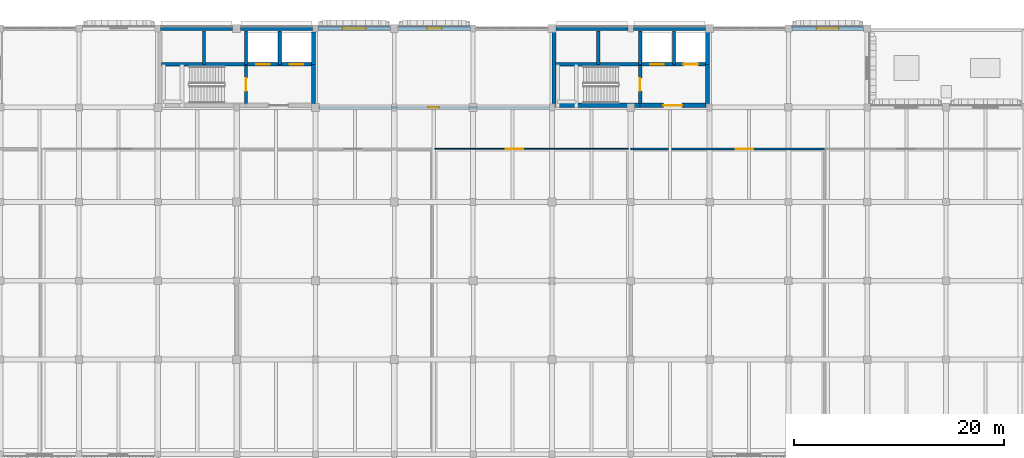
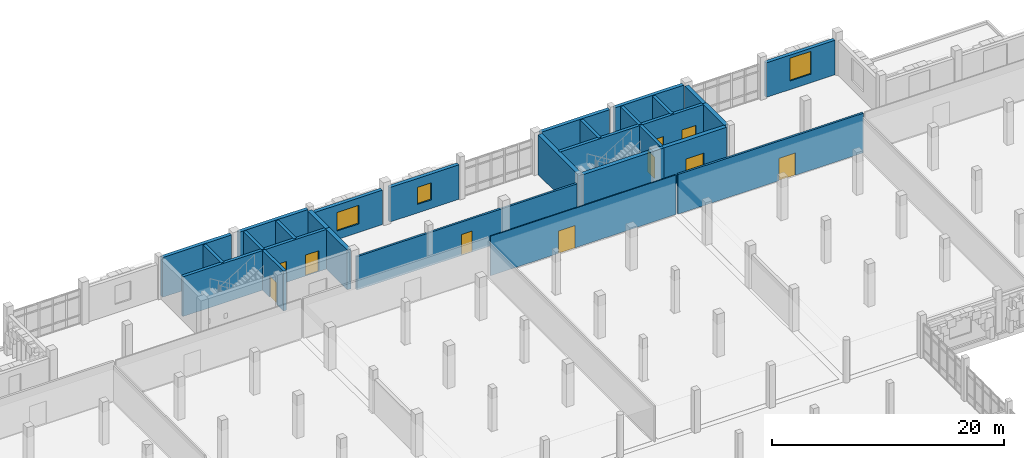
# One storey, part 102 of 128: 29 walls, 10 doors, 3 windows, 13 openings.
"""IFC4 building model written with IfcOpenShell, lengths in metres."""

from ifc_helpers import new_model, si_unit, direction, frame, frame_2d, origin, place, context, subcontext, project, spatial, rectangle, extrude, material, layer, layer_set, type_object, element, fill, save


model = new_model("IFC4")

# Units and contexts
model_context = context("Model", 3, precision=1e-05, world=origin(), true_north=direction((0.0, 1.0)))
body_context = subcontext(model_context, "Body", "Model", "MODEL_VIEW")
ifc_project = project(units=[si_unit("LENGTHUNIT", "METRE"), si_unit("AREAUNIT", "SQUARE_METRE"), si_unit("VOLUMEUNIT", "CUBIC_METRE"), si_unit("PLANEANGLEUNIT", "RADIAN"), si_unit("MASSUNIT", "GRAM", prefix="KILO")], contexts=[model_context])

# Site, building, storey
site_placement = place(None, origin())
site = spatial("IfcSite", under=ifc_project, at=site_placement, CompositionType="ELEMENT")
building_placement = place(site_placement, origin())
building = spatial("IfcBuilding", under=site, at=building_placement, Name="Dalvernix Boulevard General Hospital", CompositionType="ELEMENT")
storey_placement = place(building_placement, frame((0.0, 0.0, 4.800048828125)))
storey = spatial("IfcBuildingStorey", under=building, at=storey_placement, Name="L01", CompositionType="ELEMENT", Elevation=4.800048828125)

# Walls
ifc_material_1 = material(Name="Concrete C40/50", Category="concrete")
ifc_layer_1 = layer(ifc_material_1, 0.39990234375)
ifc_layer_set_1 = layer_set([ifc_layer_1], Name="Concrete C40/50 (WAL-CSW-01)")
wall_type_1 = type_object("IfcWallType", Name="WAL-CSW-01", PredefinedType="SHEAR", material=ifc_layer_set_1)
wall_1_placement = place(storey_placement, frame((74.800048828125, 109.85009765625, 0.0), z_axis=(0.0, 0.0, 1.0), x_axis=(0.0, 1.0, 0.0)))
element("IfcWall", 1, at=wall_1_placement, inside=storey, type_object=wall_type_1, Name="L01 C3 east lobby core wall", PredefinedType="SHEAR", context=body_context, shape_type="SweptSolid", body=[
    extrude(rectangle(XDim=3.75, YDim=0.39990234375, at=frame_2d((1.875, 0.0))), origin(), (0.0, 0.0, 1.0), 4.179931640625),
])
wall_2_placement = place(storey_placement, frame((74.800048828125, 113.60009765625, 0.0), z_axis=(0.0, 0.0, 1.0), x_axis=(0.0, 1.0, 0.0)))
element("IfcWall", 2, at=wall_2_placement, inside=storey, type_object=wall_type_1, Name="L01 C3 east shaft core wall", PredefinedType="SHEAR", context=body_context, shape_type="SweptSolid", body=[
    extrude(rectangle(XDim=3.0498046875, YDim=0.39990234375, at=frame_2d((1.52490234375, 0.0))), origin(), (0.0, 0.0, 1.0), 4.179931640625),
])
wall_3_placement = place(storey_placement, frame((97.85009765625, 109.699951171875, 0.0), z_axis=(0.0, 0.0, 1.0), x_axis=(1.0, 0.0, 0.0)))
element("IfcWall", 3, at=wall_3_placement, inside=storey, type_object=wall_type_1, Name="L01 C4 south stairwell wall", PredefinedType="SHEAR", context=body_context, shape_type="SweptSolid", body=[
    extrude(rectangle(XDim=8.0498046875, YDim=0.39990234375, at=frame_2d((4.02490234375, 0.0))), origin(), (0.0, 0.0, 1.0), 4.179931640625),
])

# Wall, opening, door
wall_4_placement = place(storey_placement, frame((105.89990234375, 109.699951171875, 0.0), z_axis=(0.0, 0.0, 1.0), x_axis=(1.0, 0.0, 0.0)))
wall_4 = element("IfcWall", 4, at=wall_4_placement, inside=storey, type_object=wall_type_1, Name="L01 C4 south firefighting lobby wall", PredefinedType="SHEAR", context=body_context, shape_type="SweptSolid", body=[
    extrude(rectangle(XDim=6.25, YDim=0.39990234375, at=frame_2d((3.125, 0.0))), origin(), (0.0, 0.0, 1.0), 4.179931640625),
])
opening_1_placement = place(wall_4_placement, frame((2.199951171875, 0.0, 0.0)))
opening_1 = element("IfcOpeningElement", 5, at=opening_1_placement, cuts=wall_4, Name="Opening FD-01", PredefinedType="OPENING", context=body_context, shape_type="SweptSolid", body=[
    extrude(rectangle(XDim=1.800048828125, YDim=2.25, at=frame_2d((0.89990234375, 1.125))), frame((0.0, 0.2099609375, 0.0), z_axis=(0.0, -1.0, 0.0), x_axis=(1.0, 0.0, 0.0)), (0.0, 0.0, 1.0), 0.419921875),
])
ifc_material_2 = material(Name="Hospital laminate acoustic timber and steel frame", Category="steel")
door_type_1 = type_object("IfcDoorType", Name="DR-FD-01", OperationType="DOUBLE_DOOR_SINGLE_SWING", PredefinedType="DOOR", material=ifc_material_2)
door_1_placement = place(opening_1_placement, origin())
door_1 = element("IfcDoor", 6, at=door_1_placement, inside=storey, type_object=door_type_1, Name="L01 C4 firefighting lobby door", OperationType="DOUBLE_DOOR_SINGLE_SWING", OverallHeight=2.25, OverallWidth=1.800048828125, PredefinedType="DOOR", context=body_context, shape_type="SweptSolid", body=[
    extrude(rectangle(XDim=1.800048828125, YDim=2.25, at=frame_2d((0.89990234375, 1.125))), frame((0.0, 0.02490234375, 0.0), z_axis=(0.0, -1.0, 0.0), x_axis=(1.0, 0.0, 0.0)), (0.0, 0.0, 1.0), 0.050048828125),
])
fill(opening_1, door_1)

# Walls
wall_5_placement = place(storey_placement, frame((97.699951171875, 109.85009765625, 0.0), z_axis=(0.0, 0.0, 1.0), x_axis=(0.0, 1.0, 0.0)))
element("IfcWall", 7, at=wall_5_placement, inside=storey, type_object=wall_type_1, Name="L01 C4 west core wall", PredefinedType="SHEAR", context=body_context, shape_type="SweptSolid", body=[
    extrude(rectangle(XDim=6.7998046875, YDim=0.39990234375, at=frame_2d((3.39990234375, 0.0))), origin(), (0.0, 0.0, 1.0), 4.179931640625),
])
wall_6_placement = place(storey_placement, frame((112.300048828125, 109.85009765625, 0.0), z_axis=(0.0, 0.0, 1.0), x_axis=(0.0, 1.0, 0.0)))
element("IfcWall", 8, at=wall_6_placement, inside=storey, type_object=wall_type_1, Name="L01 C4 east lobby core wall", PredefinedType="SHEAR", context=body_context, shape_type="SweptSolid", body=[
    extrude(rectangle(XDim=3.75, YDim=0.39990234375, at=frame_2d((1.875, 0.0))), origin(), (0.0, 0.0, 1.0), 4.179931640625),
])
wall_7_placement = place(storey_placement, frame((112.300048828125, 113.60009765625, 0.0), z_axis=(0.0, 0.0, 1.0), x_axis=(0.0, 1.0, 0.0)))
element("IfcWall", 9, at=wall_7_placement, inside=storey, type_object=wall_type_1, Name="L01 C4 east shaft core wall", PredefinedType="SHEAR", context=body_context, shape_type="SweptSolid", body=[
    extrude(rectangle(XDim=3.0498046875, YDim=0.39990234375, at=frame_2d((1.52490234375, 0.0))), origin(), (0.0, 0.0, 1.0), 4.179931640625),
])
ifc_layer_2 = layer(ifc_material_1, 0.300048828125)
ifc_layer_set_2 = layer_set([ifc_layer_2], Name="Concrete C40/50 (WAL-CSW-02)")
wall_type_2 = type_object("IfcWallType", Name="WAL-CSW-02", PredefinedType="SHEAR", material=ifc_layer_set_2)
wall_8_placement = place(storey_placement, frame((60.35009765625, 113.60009765625, 0.0), z_axis=(0.0, 0.0, 1.0), x_axis=(1.0, 0.0, 0.0)))
element("IfcWall", 10, at=wall_8_placement, inside=storey, type_object=wall_type_2, Name="L01 C3 riser spine wall", PredefinedType="SHEAR", context=body_context, shape_type="SweptSolid", body=[
    extrude(rectangle(XDim=8.0498046875, YDim=0.300048828125, at=frame_2d((4.02490234375, 0.0))), origin(), (0.0, 0.0, 1.0), 4.179931640625),
])

# Wall, openings, doors
wall_9_placement = place(storey_placement, frame((68.39990234375, 113.60009765625, 0.0), z_axis=(0.0, 0.0, 1.0), x_axis=(1.0, 0.0, 0.0)))
wall_9 = element("IfcWall", 11, at=wall_9_placement, inside=storey, type_object=wall_type_2, Name="L01 C3 lift shaft front wall", PredefinedType="SHEAR", context=body_context, shape_type="SweptSolid", body=[
    extrude(rectangle(XDim=6.25, YDim=0.300048828125, at=frame_2d((3.125, 0.0))), origin(), (0.0, 0.0, 1.0), 4.179931640625),
])
opening_2_placement = place(wall_9_placement, frame((0.949951171875, 0.0, 0.0)))
opening_2 = element("IfcOpeningElement", 12, at=opening_2_placement, cuts=wall_9, Name="Opening LD-LF-01-L01", PredefinedType="OPENING", context=body_context, shape_type="SweptSolid", body=[
    extrude(rectangle(XDim=1.300048828125, YDim=2.199951171875, at=frame_2d((0.64990234375, 1.10009765625))), frame((0.0, 0.159912109375, 0.0), z_axis=(0.0, -1.0, 0.0), x_axis=(1.0, 0.0, 0.0)), (0.0, 0.0, 1.0), 0.320068359375),
])
opening_3_placement = place(wall_9_placement, frame((4.14990234375, 0.0, 0.0)))
opening_3 = element("IfcOpeningElement", 13, at=opening_3_placement, cuts=wall_9, Name="Opening LD-LF-02-L01", PredefinedType="OPENING", context=body_context, shape_type="SweptSolid", body=[
    extrude(rectangle(XDim=1.300048828125, YDim=2.199951171875, at=frame_2d((0.64990234375, 1.10009765625))), frame((0.0, 0.159912109375, 0.0), z_axis=(0.0, -1.0, 0.0), x_axis=(1.0, 0.0, 0.0)), (0.0, 0.0, 1.0), 0.320068359375),
])
ifc_material_3 = material(Name="Stainless-clad steel", Category="steel")
door_type_2 = type_object("IfcDoorType", Name="DR-LD-02", OperationType="DOUBLE_DOOR_SLIDING", PredefinedType="DOOR", material=ifc_material_3)
door_2_placement = place(opening_2_placement, origin())
door_2 = element("IfcDoor", 14, at=door_2_placement, inside=storey, type_object=door_type_2, Name="L01 Lift LF-01 sliding landing door", OperationType="DOUBLE_DOOR_SLIDING", OverallHeight=2.199951171875, OverallWidth=1.300048828125, PredefinedType="DOOR", context=body_context, shape_type="SweptSolid", body=[
    extrude(rectangle(XDim=1.300048828125, YDim=2.199951171875, at=frame_2d((0.64990234375, 1.10009765625))), frame((0.0, 0.02490234375, 0.0), z_axis=(0.0, -1.0, 0.0), x_axis=(1.0, 0.0, 0.0)), (0.0, 0.0, 1.0), 0.050048828125),
])
fill(opening_2, door_2)
door_3_placement = place(opening_3_placement, origin())
door_3 = element("IfcDoor", 15, at=door_3_placement, inside=storey, type_object=door_type_2, Name="L01 Lift LF-02 sliding landing door", OperationType="DOUBLE_DOOR_SLIDING", OverallHeight=2.199951171875, OverallWidth=1.300048828125, PredefinedType="DOOR", context=body_context, shape_type="SweptSolid", body=[
    extrude(rectangle(XDim=1.300048828125, YDim=2.199951171875, at=frame_2d((0.64990234375, 1.10009765625))), frame((0.0, 0.02490234375, 0.0), z_axis=(0.0, -1.0, 0.0), x_axis=(1.0, 0.0, 0.0)), (0.0, 0.0, 1.0), 0.050048828125),
])
fill(opening_3, door_3)

# Wall, opening, door
wall_10_placement = place(storey_placement, frame((68.39990234375, 113.5, 0.0), z_axis=(0.0, 0.0, 1.0), x_axis=(0.0, -1.0, 0.0)))
wall_10 = element("IfcWall", 16, at=wall_10_placement, inside=storey, type_object=wall_type_2, Name="L01 C3 stairwell fire wall", PredefinedType="SHEAR", context=body_context, shape_type="SweptSolid", body=[
    extrude(rectangle(XDim=3.64990234375, YDim=0.300048828125, at=frame_2d((1.824951171875, 0.0))), origin(), (0.0, 0.0, 1.0), 4.179931640625),
])
opening_4_placement = place(wall_10_placement, frame((1.219970703125, 0.0, 0.0)))
opening_4 = element("IfcOpeningElement", 17, at=opening_4_placement, cuts=wall_10, Name="Opening FD-02", PredefinedType="OPENING", context=body_context, shape_type="SweptSolid", body=[
    extrude(rectangle(XDim=1.199951171875, YDim=2.25, at=frame_2d((0.60009765625, 1.125))), frame((0.0, 0.159912109375, 0.0), z_axis=(0.0, -1.0, 0.0), x_axis=(1.0, 0.0, 0.0)), (0.0, 0.0, 1.0), 0.320068359375),
])
door_type_3 = type_object("IfcDoorType", Name="DR-FD-02", OperationType="NOTDEFINED", PredefinedType="DOOR", material=ifc_material_2)
door_4_placement = place(opening_4_placement, origin())
door_4 = element("IfcDoor", 18, at=door_4_placement, inside=storey, type_object=door_type_3, Name="L01 Stair ST-03 fire door", OperationType="SINGLE_SWING_LEFT", OverallHeight=2.25, OverallWidth=1.199951171875, PredefinedType="DOOR", context=body_context, shape_type="SweptSolid", body=[
    extrude(rectangle(XDim=1.199951171875, YDim=2.25, at=frame_2d((0.60009765625, 1.125))), frame((0.0, 0.02490234375, 0.0), z_axis=(0.0, -1.0, 0.0), x_axis=(1.0, 0.0, 0.0)), (0.0, 0.0, 1.0), 0.050048828125),
])
fill(opening_4, door_4)

# Walls
for number, where, z_axis, x_axis, name in (
    (19, (64.39990234375, 113.60009765625, 0.0), (0.0, 0.0, 1.0), (0.0, 1.0, 0.0), "L01 C3 shaft divider R1"),
    (20, (68.39990234375, 113.60009765625, 0.0), (0.0, 0.0, 1.0), (0.0, 1.0, 0.0), "L01 C3 shaft divider R2"),
    (21, (71.60009765625, 113.60009765625, 0.0), (0.0, 0.0, 1.0), (0.0, 1.0, 0.0), "L01 C3 shaft divider L1"),
):
    element("IfcWall", number, at=place(storey_placement, frame(where, z_axis=z_axis, x_axis=x_axis)), inside=storey, type_object=wall_type_2, Name=name, PredefinedType="SHEAR", context=body_context, shape_type="SweptSolid", body=[
        extrude(rectangle(XDim=3.14990234375, YDim=0.300048828125, at=frame_2d((1.574951171875, 0.0))), origin(), (0.0, 0.0, 1.0), 4.179931640625),
    ])
wall_11_placement = place(storey_placement, frame((97.85009765625, 113.60009765625, 0.0), z_axis=(0.0, 0.0, 1.0), x_axis=(1.0, 0.0, 0.0)))
element("IfcWall", 22, at=wall_11_placement, inside=storey, type_object=wall_type_2, Name="L01 C4 riser spine wall", PredefinedType="SHEAR", context=body_context, shape_type="SweptSolid", body=[
    extrude(rectangle(XDim=8.0498046875, YDim=0.300048828125, at=frame_2d((4.02490234375, 0.0))), origin(), (0.0, 0.0, 1.0), 4.179931640625),
])

# Wall, openings, doors
wall_12_placement = place(storey_placement, frame((105.89990234375, 113.60009765625, 0.0), z_axis=(0.0, 0.0, 1.0), x_axis=(1.0, 0.0, 0.0)))
wall_12 = element("IfcWall", 23, at=wall_12_placement, inside=storey, type_object=wall_type_2, Name="L01 C4 lift shaft front wall", PredefinedType="SHEAR", context=body_context, shape_type="SweptSolid", body=[
    extrude(rectangle(XDim=6.25, YDim=0.300048828125, at=frame_2d((3.125, 0.0))), origin(), (0.0, 0.0, 1.0), 4.179931640625),
])
opening_5_placement = place(wall_12_placement, frame((0.949951171875, 0.0, 0.0)))
opening_5 = element("IfcOpeningElement", 24, at=opening_5_placement, cuts=wall_12, Name="Opening LD-LF-03-L01", PredefinedType="OPENING", context=body_context, shape_type="SweptSolid", body=[
    extrude(rectangle(XDim=1.300048828125, YDim=2.199951171875, at=frame_2d((0.64990234375, 1.10009765625))), frame((0.0, 0.159912109375, 0.0), z_axis=(0.0, -1.0, 0.0), x_axis=(1.0, 0.0, 0.0)), (0.0, 0.0, 1.0), 0.320068359375),
])
opening_6_placement = place(wall_12_placement, frame((4.10009765625, 0.0, 0.0)))
opening_6 = element("IfcOpeningElement", 25, at=opening_6_placement, cuts=wall_12, Name="Opening LD-GL-01-L01", PredefinedType="OPENING", context=body_context, shape_type="SweptSolid", body=[
    extrude(rectangle(XDim=1.39990234375, YDim=2.25, at=frame_2d((0.699951171875, 1.125))), frame((0.0, 0.159912109375, 0.0), z_axis=(0.0, -1.0, 0.0), x_axis=(1.0, 0.0, 0.0)), (0.0, 0.0, 1.0), 0.320068359375),
])
door_type_4 = type_object("IfcDoorType", Name="DR-LD-01", OperationType="DOUBLE_DOOR_SLIDING", PredefinedType="DOOR", material=ifc_material_3)
door_5_placement = place(opening_6_placement, origin())
door_5 = element("IfcDoor", 26, at=door_5_placement, inside=storey, type_object=door_type_4, Name="L01 Lift GL-01 sliding landing door", OperationType="DOUBLE_DOOR_SLIDING", OverallHeight=2.25, OverallWidth=1.39990234375, PredefinedType="DOOR", context=body_context, shape_type="SweptSolid", body=[
    extrude(rectangle(XDim=1.39990234375, YDim=2.25, at=frame_2d((0.699951171875, 1.125))), frame((0.0, 0.02490234375, 0.0), z_axis=(0.0, -1.0, 0.0), x_axis=(1.0, 0.0, 0.0)), (0.0, 0.0, 1.0), 0.050048828125),
])
fill(opening_6, door_5)
door_6_placement = place(opening_5_placement, origin())
door_6 = element("IfcDoor", 27, at=door_6_placement, inside=storey, type_object=door_type_2, Name="L01 Lift LF-03 sliding landing door", OperationType="DOUBLE_DOOR_SLIDING", OverallHeight=2.199951171875, OverallWidth=1.300048828125, PredefinedType="DOOR", context=body_context, shape_type="SweptSolid", body=[
    extrude(rectangle(XDim=1.300048828125, YDim=2.199951171875, at=frame_2d((0.64990234375, 1.10009765625))), frame((0.0, 0.02490234375, 0.0), z_axis=(0.0, -1.0, 0.0), x_axis=(1.0, 0.0, 0.0)), (0.0, 0.0, 1.0), 0.050048828125),
])
fill(opening_5, door_6)

# Wall, opening, door
wall_13_placement = place(storey_placement, frame((105.89990234375, 113.5, 0.0), z_axis=(0.0, 0.0, 1.0), x_axis=(0.0, -1.0, 0.0)))
wall_13 = element("IfcWall", 28, at=wall_13_placement, inside=storey, type_object=wall_type_2, Name="L01 C4 stairwell fire wall", PredefinedType="SHEAR", context=body_context, shape_type="SweptSolid", body=[
    extrude(rectangle(XDim=3.64990234375, YDim=0.300048828125, at=frame_2d((1.824951171875, 0.0))), origin(), (0.0, 0.0, 1.0), 4.179931640625),
])
opening_7_placement = place(wall_13_placement, frame((1.219970703125, 0.0, 0.0)))
opening_7 = element("IfcOpeningElement", 29, at=opening_7_placement, cuts=wall_13, Name="Opening FD-02", PredefinedType="OPENING", context=body_context, shape_type="SweptSolid", body=[
    extrude(rectangle(XDim=1.199951171875, YDim=2.25, at=frame_2d((0.60009765625, 1.125))), frame((0.0, 0.159912109375, 0.0), z_axis=(0.0, -1.0, 0.0), x_axis=(1.0, 0.0, 0.0)), (0.0, 0.0, 1.0), 0.320068359375),
])
door_7_placement = place(opening_7_placement, origin())
door_7 = element("IfcDoor", 30, at=door_7_placement, inside=storey, type_object=door_type_3, Name="L01 Stair ST-04 fire door", OperationType="SINGLE_SWING_LEFT", OverallHeight=2.25, OverallWidth=1.199951171875, PredefinedType="DOOR", context=body_context, shape_type="SweptSolid", body=[
    extrude(rectangle(XDim=1.199951171875, YDim=2.25, at=frame_2d((0.60009765625, 1.125))), frame((0.0, 0.02490234375, 0.0), z_axis=(0.0, -1.0, 0.0), x_axis=(1.0, 0.0, 0.0)), (0.0, 0.0, 1.0), 0.050048828125),
])
fill(opening_7, door_7)

# Walls
for number, where, z_axis, x_axis, name in (
    (31, (101.89990234375, 113.60009765625, 0.0), (0.0, 0.0, 1.0), (0.0, 1.0, 0.0), "L01 C4 shaft divider R1"),
    (32, (105.89990234375, 113.60009765625, 0.0), (0.0, 0.0, 1.0), (0.0, 1.0, 0.0), "L01 C4 shaft divider R2"),
    (33, (109.10009765625, 113.60009765625, 0.0), (0.0, 0.0, 1.0), (0.0, 1.0, 0.0), "L01 C4 shaft divider L1"),
):
    element("IfcWall", number, at=place(storey_placement, frame(where, z_axis=z_axis, x_axis=x_axis)), inside=storey, type_object=wall_type_2, Name=name, PredefinedType="SHEAR", context=body_context, shape_type="SweptSolid", body=[
        extrude(rectangle(XDim=3.14990234375, YDim=0.300048828125, at=frame_2d((1.574951171875, 0.0))), origin(), (0.0, 0.0, 1.0), 4.179931640625),
    ])
ifc_layer_3 = layer(ifc_material_1, 0.35009765625)
ifc_layer_set_3 = layer_set([ifc_layer_3], Name="Concrete C40/50 (WAL-ESW-01)")
wall_type_3 = type_object("IfcWallType", Name="WAL-ESW-01", PredefinedType="SHEAR", material=ifc_layer_set_3)
for number, where, z_axis, x_axis, name in (
    (34, (60.260009765625, 117.0, 0.0), (0.0, 0.0, 1.0), (1.0, 0.0, 0.0), "L01 core perimeter shear wall N 8-15"),
    (35, (67.885009765625, 117.0, 0.0), (0.0, 0.0, 1.0), (1.0, 0.0, 0.0), "L01 core perimeter shear wall N 9-15"),
    (36, (97.885009765625, 117.0, 0.0), (0.0, 0.0, 1.0), (1.0, 0.0, 0.0), "L01 core perimeter shear wall N 13-15"),
    (37, (105.260009765625, 117.0, 0.0), (0.0, 0.0, 1.0), (1.0, 0.0, 0.0), "L01 core perimeter shear wall N 14-15"),
):
    element("IfcWall", number, at=place(storey_placement, frame(where, z_axis=z_axis, x_axis=x_axis)), inside=storey, type_object=wall_type_3, Name=name, PredefinedType="SHEAR", context=body_context, shape_type="SweptSolid", body=[
        extrude(rectangle(XDim=6.85498046875, YDim=0.35009765625, at=frame_2d((3.427490234375, 0.0))), origin(), (0.0, 0.0, 1.0), 4.179931640625),
    ])

# Wall, opening, window
ifc_material_4 = material(Name="Pressed Catalan clay brick and insulated concrete cavity wall C35/45", Category="masonry")
ifc_layer_4 = layer(ifc_material_4, 0.35009765625)
ifc_layer_set_4 = layer_set([ifc_layer_4], Name="Pressed Catalan clay brick and insulated concrete cavity wall C35/45 (WAL-EW-01)")
wall_type_4 = type_object("IfcWallType", Name="WAL-EW-01", PredefinedType="STANDARD", material=ifc_layer_set_4)
wall_14_placement = place(storey_placement, frame((75.260009765625, 117.0, 0.0), z_axis=(0.0, 0.0, 1.0), x_axis=(1.0, 0.0, 0.0)))
wall_14 = element("IfcWall", 38, at=wall_14_placement, inside=storey, type_object=wall_type_4, Name="L01 Catalan brick external wall N 10-15", PredefinedType="STANDARD", context=body_context, shape_type="SweptSolid", body=[
    extrude(rectangle(XDim=6.85498046875, YDim=0.35009765625, at=frame_2d((3.427490234375, 0.0))), origin(), (0.0, 0.0, 1.0), 3.6298828125),
])
opening_8_placement = place(wall_14_placement, frame((2.327392578125, 0.0, 0.89990234375)))
opening_8 = element("IfcOpeningElement", 39, at=opening_8_placement, cuts=wall_14, Name="Opening WN-13", PredefinedType="OPENING", context=body_context, shape_type="SweptSolid", body=[
    extrude(rectangle(XDim=2.199951171875, YDim=1.949951171875, at=frame_2d((1.10009765625, 0.97509765625))), frame((0.0, 0.18505859375, 0.0), z_axis=(0.0, -1.0, 0.0), x_axis=(1.0, 0.0, 0.0)), (0.0, 0.0, 1.0), 0.3701171875),
])
ifc_material_5 = material(Name="Thermally broken aluminium frame with solar-control double glazing", Category="aluminium")
window_type_1 = type_object("IfcWindowType", Name="WIN-WN-13", PartitioningType="SINGLE_PANEL", PredefinedType="WINDOW", material=ifc_material_5)
window_1_placement = place(opening_8_placement, origin())
window_1 = element("IfcWindow", 40, at=window_1_placement, inside=storey, type_object=window_type_1, Name="L01 clinical window WN-13 N 10-15", OverallHeight=1.949951171875, OverallWidth=2.199951171875, PartitioningType="SINGLE_PANEL", PredefinedType="WINDOW", context=body_context, shape_type="SweptSolid", body=[
    extrude(rectangle(XDim=2.199951171875, YDim=1.949951171875, at=frame_2d((1.10009765625, 0.97509765625))), frame((0.0, 0.030029296875, 0.0), z_axis=(0.0, -1.0, 0.0), x_axis=(1.0, 0.0, 0.0)), (0.0, 0.0, 1.0), 0.06005859375),
])
fill(opening_8, window_1)

wall_15_placement = place(storey_placement, frame((82.885009765625, 117.0, 0.0), z_axis=(0.0, 0.0, 1.0), x_axis=(1.0, 0.0, 0.0)))
wall_15 = element("IfcWall", 41, at=wall_15_placement, inside=storey, type_object=wall_type_4, Name="L01 Catalan brick external wall N 11-15", PredefinedType="STANDARD", context=body_context, shape_type="SweptSolid", body=[
    extrude(rectangle(XDim=6.85498046875, YDim=0.35009765625, at=frame_2d((3.427490234375, 0.0))), origin(), (0.0, 0.0, 1.0), 3.6298828125),
])
opening_9_placement = place(wall_15_placement, frame((2.7275390625, 0.0, 0.89990234375)))
opening_9 = element("IfcOpeningElement", 42, at=opening_9_placement, cuts=wall_15, Name="Opening WN-14", PredefinedType="OPENING", context=body_context, shape_type="SweptSolid", body=[
    extrude(rectangle(XDim=1.39990234375, YDim=1.800048828125, at=frame_2d((0.699951171875, 0.89990234375))), frame((0.0, 0.18505859375, 0.0), z_axis=(0.0, -1.0, 0.0), x_axis=(1.0, 0.0, 0.0)), (0.0, 0.0, 1.0), 0.3701171875),
])
window_type_2 = type_object("IfcWindowType", Name="WIN-WN-14", PartitioningType="SINGLE_PANEL", PredefinedType="WINDOW", material=ifc_material_5)
window_2_placement = place(opening_9_placement, origin())
window_2 = element("IfcWindow", 43, at=window_2_placement, inside=storey, type_object=window_type_2, Name="L01 clinical window WN-14 N 11-15", OverallHeight=1.800048828125, OverallWidth=1.39990234375, PartitioningType="SINGLE_PANEL", PredefinedType="WINDOW", context=body_context, shape_type="SweptSolid", body=[
    extrude(rectangle(XDim=1.39990234375, YDim=1.800048828125, at=frame_2d((0.699951171875, 0.89990234375))), frame((0.0, 0.030029296875, 0.0), z_axis=(0.0, -1.0, 0.0), x_axis=(1.0, 0.0, 0.0)), (0.0, 0.0, 1.0), 0.06005859375),
])
fill(opening_9, window_2)

wall_16_placement = place(storey_placement, frame((120.3349609375, 117.0, 0.0), z_axis=(0.0, 0.0, 1.0), x_axis=(1.0, 0.0, 0.0)))
wall_16 = element("IfcWall", 44, at=wall_16_placement, inside=storey, type_object=wall_type_4, Name="L01 Catalan brick external wall N 16-15", PredefinedType="STANDARD", context=body_context, shape_type="SweptSolid", body=[
    extrude(rectangle(XDim=6.804931640625, YDim=0.35009765625, at=frame_2d((3.40234375, 0.0))), origin(), (0.0, 0.0, 1.0), 3.6298828125),
])
opening_10_placement = place(wall_16_placement, frame((2.3525390625, 0.0, 0.89990234375)))
opening_10 = element("IfcOpeningElement", 45, at=opening_10_placement, cuts=wall_16, Name="Opening WN-03", PredefinedType="OPENING", context=body_context, shape_type="SweptSolid", body=[
    extrude(rectangle(XDim=2.10009765625, YDim=2.39990234375, at=frame_2d((1.050048828125, 1.199951171875))), frame((0.0, 0.18505859375, 0.0), z_axis=(0.0, -1.0, 0.0), x_axis=(1.0, 0.0, 0.0)), (0.0, 0.0, 1.0), 0.3701171875),
])
window_type_3 = type_object("IfcWindowType", Name="WIN-WN-03", PartitioningType="SINGLE_PANEL", PredefinedType="WINDOW", material=ifc_material_5)
window_3_placement = place(opening_10_placement, origin())
window_3 = element("IfcWindow", 46, at=window_3_placement, inside=storey, type_object=window_type_3, Name="L01 clinical window WN-03 N 16-15", OverallHeight=2.39990234375, OverallWidth=2.10009765625, PartitioningType="SINGLE_PANEL", PredefinedType="WINDOW", context=body_context, shape_type="SweptSolid", body=[
    extrude(rectangle(XDim=2.10009765625, YDim=2.39990234375, at=frame_2d((1.050048828125, 1.199951171875))), frame((0.0, 0.030029296875, 0.0), z_axis=(0.0, -1.0, 0.0), x_axis=(1.0, 0.0, 0.0)), (0.0, 0.0, 1.0), 0.06005859375),
])
fill(opening_10, window_3)

# Wall, opening, door
ifc_material_6 = material(Name="Fire-compartment corridor masonry wall", Category="masonry")
ifc_layer_5 = layer(ifc_material_6, 0.199951171875)
ifc_layer_set_5 = layer_set([ifc_layer_5], Name="Fire-compartment corridor masonry wall (WAL-IW-02)")
wall_type_5 = type_object("IfcWallType", Name="WAL-IW-02", PredefinedType="STANDARD", material=ifc_layer_set_5)
wall_17_placement = place(storey_placement, frame((123.416748046875, 105.550048828125, 0.0), z_axis=(0.0, 0.0, 1.0), x_axis=(-1.0, 0.0, 0.0)))
wall_17 = element("IfcWall", 47, at=wall_17_placement, inside=storey, type_object=wall_type_5, Name="L01 Clinical Pathology and Microbiology Laboratory 04 corridor wall", PredefinedType="STANDARD", context=body_context, shape_type="SweptSolid", body=[
    extrude(rectangle(XDim=18.433349609375, YDim=0.199951171875, at=frame_2d((9.216796875, 0.0))), origin(), (0.0, 0.0, 1.0), 4.1650390625),
])
opening_11_placement = place(wall_17_placement, frame((6.763427734375, 0.0, 0.0)))
opening_11 = element("IfcOpeningElement", 48, at=opening_11_placement, cuts=wall_17, Name="Opening ID-12", PredefinedType="OPENING", context=body_context, shape_type="SweptSolid", body=[
    extrude(rectangle(XDim=1.64990234375, YDim=2.35009765625, at=frame_2d((0.824951171875, 1.175048828125))), frame((0.0, 0.10986328125, 0.0), z_axis=(0.0, -1.0, 0.0), x_axis=(1.0, 0.0, 0.0)), (0.0, 0.0, 1.0), 0.219970703125),
])
door_type_5 = type_object("IfcDoorType", Name="DR-ID-12", OperationType="DOUBLE_DOOR_SINGLE_SWING", PredefinedType="DOOR", material=ifc_material_2)
door_8_placement = place(opening_11_placement, origin())
door_8 = element("IfcDoor", 49, at=door_8_placement, inside=storey, type_object=door_type_5, Name="L01 Clinical Pathology and Microbiology Laboratory 04 door", OperationType="DOUBLE_DOOR_SINGLE_SWING", OverallHeight=2.35009765625, OverallWidth=1.64990234375, PredefinedType="DOOR", context=body_context, shape_type="SweptSolid", body=[
    extrude(rectangle(XDim=1.64990234375, YDim=2.35009765625, at=frame_2d((0.824951171875, 1.175048828125))), frame((0.0, 0.02490234375, 0.0), z_axis=(0.0, -1.0, 0.0), x_axis=(1.0, 0.0, 0.0)), (0.0, 0.0, 1.0), 0.050048828125),
])
fill(opening_11, door_8)

wall_18_placement = place(storey_placement, frame((75.300048828125, 109.5, 0.0), z_axis=(0.0, 0.0, 1.0), x_axis=(1.0, 0.0, 0.0)))
wall_18 = element("IfcWall", 50, at=wall_18_placement, inside=storey, type_object=wall_type_5, Name="L01 Pathology Specimen Reception L01 corridor wall", PredefinedType="STANDARD", context=body_context, shape_type="SweptSolid", body=[
    extrude(rectangle(XDim=21.89990234375, YDim=0.199951171875, at=frame_2d((10.949951171875, 0.0))), origin(), (0.0, 0.0, 1.0), 3.514892578125),
])
opening_12_placement = place(wall_18_placement, frame((10.425048828125, 0.0, 0.0)))
opening_12 = element("IfcOpeningElement", 51, at=opening_12_placement, cuts=wall_18, Name="Opening ID-07", PredefinedType="OPENING", context=body_context, shape_type="SweptSolid", body=[
    extrude(rectangle(XDim=1.050048828125, YDim=2.199951171875, at=frame_2d((0.52490234375, 1.10009765625))), frame((0.0, 0.10986328125, 0.0), z_axis=(0.0, -1.0, 0.0), x_axis=(1.0, 0.0, 0.0)), (0.0, 0.0, 1.0), 0.219970703125),
])
door_type_6 = type_object("IfcDoorType", Name="DR-ID-07", OperationType="NOTDEFINED", PredefinedType="DOOR", material=ifc_material_2)
door_9_placement = place(opening_12_placement, origin())
door_9 = element("IfcDoor", 52, at=door_9_placement, inside=storey, type_object=door_type_6, Name="L01 Pathology Specimen Reception L01 door", OperationType="SINGLE_SWING_RIGHT", OverallHeight=2.199951171875, OverallWidth=1.050048828125, PredefinedType="DOOR", context=body_context, shape_type="SweptSolid", body=[
    extrude(rectangle(XDim=1.050048828125, YDim=2.199951171875, at=frame_2d((0.52490234375, 1.10009765625))), frame((0.0, 0.02490234375, 0.0), z_axis=(0.0, -1.0, 0.0), x_axis=(1.0, 0.0, 0.0)), (0.0, 0.0, 1.0), 0.050048828125),
])
fill(opening_12, door_9)

ifc_material_7 = material(Name="Fire-resisting clinical sub-partition")
ifc_layer_6 = layer(ifc_material_7, 0.10009765625)
ifc_layer_set_6 = layer_set([ifc_layer_6], Name="Fire-resisting clinical sub-partition (WAL-IW-06)")
wall_type_6 = type_object("IfcWallType", Name="WAL-IW-06", PredefinedType="PARTITIONING", material=ifc_layer_set_6)
wall_19_placement = place(storey_placement, frame((104.783203125, 105.550048828125, 0.0), z_axis=(0.0, 0.0, 1.0), x_axis=(-1.0, 0.0, 0.0)))
wall_19 = element("IfcWall", 53, at=wall_19_placement, inside=storey, type_object=wall_type_6, Name="L01 Clinical Pathology and Microbiology Laboratory 03 corridor wall", PredefinedType="PARTITIONING", context=body_context, shape_type="SweptSolid", body=[
    extrude(rectangle(XDim=18.43310546875, YDim=0.10009765625, at=frame_2d((9.216552734375, 0.0))), origin(), (0.0, 0.0, 1.0), 4.1650390625),
])
opening_13_placement = place(wall_19_placement, frame((10.02001953125, 0.0, 0.0)))
opening_13 = element("IfcOpeningElement", 54, at=opening_13_placement, cuts=wall_19, Name="Opening ID-12", PredefinedType="OPENING", context=body_context, shape_type="SweptSolid", body=[
    extrude(rectangle(XDim=1.64990234375, YDim=2.35009765625, at=frame_2d((0.824951171875, 1.175048828125))), frame((0.0, 0.06005859375, 0.0), z_axis=(0.0, -1.0, 0.0), x_axis=(1.0, 0.0, 0.0)), (0.0, 0.0, 1.0), 0.1201171875),
])
door_10_placement = place(opening_13_placement, origin())
door_10 = element("IfcDoor", 55, at=door_10_placement, inside=storey, type_object=door_type_5, Name="L01 Clinical Pathology and Microbiology Laboratory 03 door", OperationType="DOUBLE_DOOR_SINGLE_SWING", OverallHeight=2.35009765625, OverallWidth=1.64990234375, PredefinedType="DOOR", context=body_context, shape_type="SweptSolid", body=[
    extrude(rectangle(XDim=1.64990234375, YDim=2.35009765625, at=frame_2d((0.824951171875, 1.175048828125))), frame((0.0, 0.02490234375, 0.0), z_axis=(0.0, -1.0, 0.0), x_axis=(1.0, 0.0, 0.0)), (0.0, 0.0, 1.0), 0.050048828125),
])
fill(opening_13, door_10)

save(model, "model.ifc")
